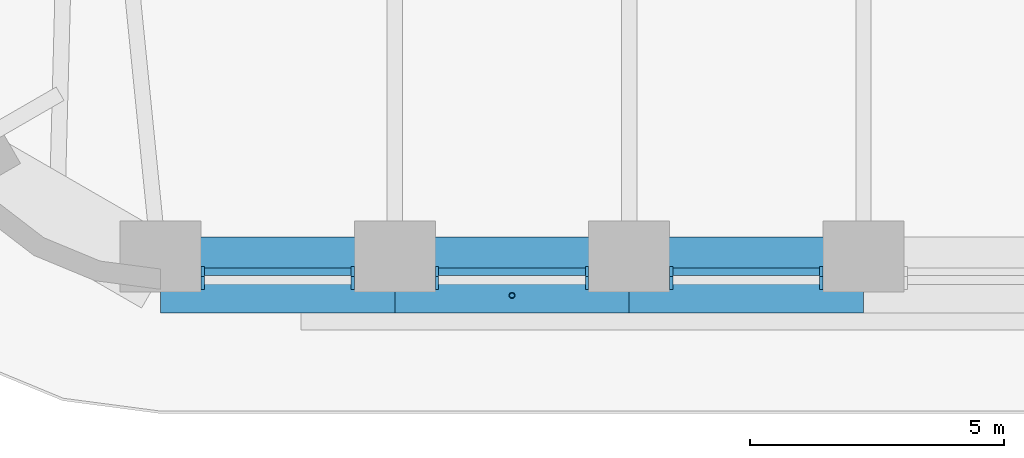
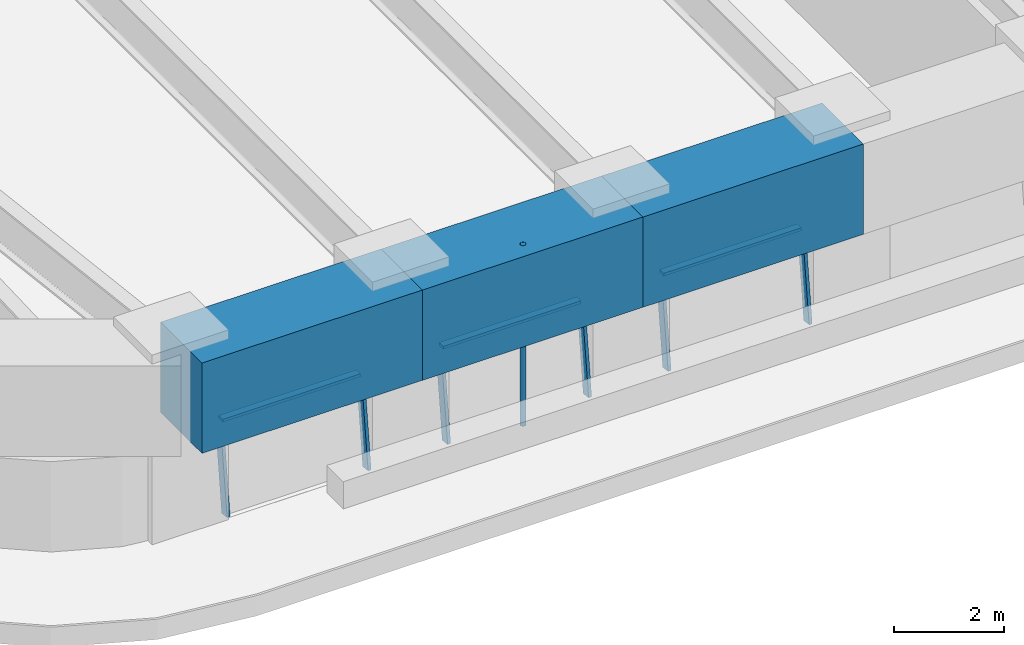
# One storey, part 2 of 20: 10 members, 3 beams, 3 elements without a shape of their own.
"""IFC4 building model written with IfcOpenShell, lengths in metres."""

from ifc_helpers import new_model, si_unit, direction, frame, origin, origin_2d, place, context, subcontext, project, spatial, rectangle, hollow_circle, extrude, material, material_profile, profile_set, type_object, element, aggregate, save


model = new_model("IFC4")

# Units and contexts
model_context = context("Model", 3, precision=1e-05, world=origin(), true_north=direction((0.0, 1.0)))
body_context = subcontext(model_context, "Body", "Model", "MODEL_VIEW")
ifc_project = project(units=[si_unit("LENGTHUNIT", "METRE"), si_unit("AREAUNIT", "SQUARE_METRE"), si_unit("VOLUMEUNIT", "CUBIC_METRE"), si_unit("PLANEANGLEUNIT", "RADIAN"), si_unit("MASSUNIT", "GRAM", prefix="KILO")], contexts=[model_context])

# Site, building, storey
site_placement = place(None, origin())
site = spatial("IfcSite", under=ifc_project, at=site_placement, CompositionType="ELEMENT")
building_placement = place(site_placement, origin())
building = spatial("IfcBuilding", under=site, at=building_placement, Name="Tarfa Lantern Tower", CompositionType="ELEMENT")
storey_placement = place(building_placement, frame((0.0, 0.0, 228.10009765625)))
storey = spatial("IfcBuildingStorey", under=building, at=storey_placement, Name="L51", CompositionType="ELEMENT", Elevation=228.10009765625)

# Curtain wall, members
ifc_material_1 = material(Name="Aluminium framed curtain wall", Category="aluminium")
curtain_wall_type = type_object("IfcCurtainWallType", Name="CW3 CANTED GLAZING HIGH ZONE 2000", PredefinedType="USERDEFINED", material=ifc_material_1)
curtain_wall_1_placement = place(storey_placement, origin())
curtain_wall_1 = element("IfcCurtainWall", 1, at=curtain_wall_1_placement, inside=storey, type_object=curtain_wall_type, Name="CW3 S L51", ObjectType="CURTAIN WALL", PredefinedType="USERDEFINED")
ifc_material_2 = material(Name="Aluminium mullion", Category="aluminium")
ifc_material_profile_1 = material_profile(ifc_material_2, rectangle(XDim=0.06494140625, YDim=0.199951171875, at=origin_2d()), Name="AL MULLION 65x200")
ifc_profile_set_1 = profile_set([ifc_material_profile_1], Name="Aluminium mullion")
member_type_1 = type_object("IfcMemberType", Name="CWM1 MULLION 65x200", PredefinedType="MULLION", material=ifc_profile_set_1)
member_1_placement = place(storey_placement, frame((-13.02392578125, -28.89990234375, 0.0), z_axis=(0.0, 0.124034734589, 0.992277876714), x_axis=(-1.0, 0.0, 0.0)))
member_1 = element("IfcMember", 2, at=member_1_placement, type_object=member_type_1, Name="CW3 mullion 1", PredefinedType="MULLION", context=body_context, shape_type="SweptSolid", body=[
    extrude(rectangle(XDim=0.06494140625, YDim=0.199951171875, at=origin_2d()), origin(), (0.0, 0.0, 1.0), 2.015625),
])
member_2_placement = place(storey_placement, frame((-10.070068359375, -28.89990234375, 0.0), z_axis=(0.0, 0.124034734589, 0.992277876714), x_axis=(-1.0, 0.0, 0.0)))
member_2 = element("IfcMember", 3, at=member_2_placement, type_object=member_type_1, Name="CW3 mullion 2", PredefinedType="MULLION", context=body_context, shape_type="SweptSolid", body=[
    extrude(rectangle(XDim=0.06494140625, YDim=0.199951171875, at=origin_2d()), origin(), (0.0, 0.0, 1.0), 2.015625),
])

curtain_wall_2_placement = place(storey_placement, origin())
curtain_wall_2 = element("IfcCurtainWall", 4, at=curtain_wall_2_placement, inside=storey, type_object=curtain_wall_type, Name="CW3 S L51", ObjectType="CURTAIN WALL", PredefinedType="USERDEFINED")
member_3_placement = place(storey_placement, frame((-8.405029296875, -28.89990234375, 0.0), z_axis=(0.0, 0.124034734589, 0.992277876714), x_axis=(-1.0, 0.0, 0.0)))
member_3 = element("IfcMember", 5, at=member_3_placement, type_object=member_type_1, Name="CW3 mullion 1", PredefinedType="MULLION", context=body_context, shape_type="SweptSolid", body=[
    extrude(rectangle(XDim=0.06494140625, YDim=0.199951171875, at=origin_2d()), origin(), (0.0, 0.0, 1.0), 2.015625),
])
member_4_placement = place(storey_placement, frame((-5.451416015625, -28.89990234375, 0.0), z_axis=(0.0, 0.124034734589, 0.992277876714), x_axis=(-1.0, 0.0, 0.0)))
member_4 = element("IfcMember", 6, at=member_4_placement, type_object=member_type_1, Name="CW3 mullion 2", PredefinedType="MULLION", context=body_context, shape_type="SweptSolid", body=[
    extrude(rectangle(XDim=0.06494140625, YDim=0.199951171875, at=origin_2d()), origin(), (0.0, 0.0, 1.0), 2.015625),
])

curtain_wall_3_placement = place(storey_placement, origin())
curtain_wall_3 = element("IfcCurtainWall", 7, at=curtain_wall_3_placement, inside=storey, type_object=curtain_wall_type, Name="CW3 S L51", ObjectType="CURTAIN WALL", PredefinedType="USERDEFINED")
member_5_placement = place(storey_placement, frame((-3.786376953125, -28.89990234375, 0.0), z_axis=(0.0, 0.124034734589, 0.992277876714), x_axis=(-1.0, 0.0, 0.0)))
member_5 = element("IfcMember", 8, at=member_5_placement, type_object=member_type_1, Name="CW3 mullion 1", PredefinedType="MULLION", context=body_context, shape_type="SweptSolid", body=[
    extrude(rectangle(XDim=0.06494140625, YDim=0.199951171875, at=origin_2d()), origin(), (0.0, 0.0, 1.0), 2.015625),
])
member_6_placement = place(storey_placement, frame((-0.83251953125, -28.89990234375, 0.0), z_axis=(0.0, 0.124034734589, 0.992277876714), x_axis=(-1.0, 0.0, 0.0)))
member_6 = element("IfcMember", 9, at=member_6_placement, type_object=member_type_1, Name="CW3 mullion 2", PredefinedType="MULLION", context=body_context, shape_type="SweptSolid", body=[
    extrude(rectangle(XDim=0.06494140625, YDim=0.199951171875, at=origin_2d()), origin(), (0.0, 0.0, 1.0), 2.015625),
])

# Member
ifc_material_3 = material(Name="Aluminium transom", Category="aluminium")
ifc_material_profile_2 = material_profile(ifc_material_3, rectangle(XDim=0.14990234375, YDim=0.06494140625, at=origin_2d()), Name="AL TRANSOM 150x65")
ifc_profile_set_2 = profile_set([ifc_material_profile_2], Name="Aluminium transom")
member_type_2 = type_object("IfcMemberType", Name="CWT1 TRANSOM 150x65", PredefinedType="USERDEFINED", material=ifc_profile_set_2)
member_7_placement = place(storey_placement, frame((-12.991455078125, -28.654052734375, 1.96728515625), z_axis=(1.0, 0.0, 0.0), x_axis=(0.0, 1.0, 0.0)))
member_7 = element("IfcMember", 10, at=member_7_placement, type_object=member_type_2, Name="CW3 transom 1.2", ObjectType="TRANSOM", PredefinedType="USERDEFINED", context=body_context, shape_type="SweptSolid", body=[
    extrude(rectangle(XDim=0.14990234375, YDim=0.06494140625, at=origin_2d()), origin(), (0.0, 0.0, 1.0), 2.888916015625),
])

aggregate(curtain_wall_1, [member_1, member_2, member_7])

member_8_placement = place(storey_placement, frame((-8.37255859375, -28.654052734375, 1.96728515625), z_axis=(1.0, 0.0, 0.0), x_axis=(0.0, 1.0, 0.0)))
member_8 = element("IfcMember", 11, at=member_8_placement, type_object=member_type_2, Name="CW3 transom 1.2", ObjectType="TRANSOM", PredefinedType="USERDEFINED", context=body_context, shape_type="SweptSolid", body=[
    extrude(rectangle(XDim=0.14990234375, YDim=0.06494140625, at=origin_2d()), origin(), (0.0, 0.0, 1.0), 2.888671875),
])

aggregate(curtain_wall_2, [member_3, member_4, member_8])

member_9_placement = place(storey_placement, frame((-3.75390625, -28.654052734375, 1.96728515625), z_axis=(1.0, 0.0, 0.0), x_axis=(0.0, 1.0, 0.0)))
member_9 = element("IfcMember", 12, at=member_9_placement, type_object=member_type_2, Name="CW3 transom 1.2", ObjectType="TRANSOM", PredefinedType="USERDEFINED", context=body_context, shape_type="SweptSolid", body=[
    extrude(rectangle(XDim=0.14990234375, YDim=0.06494140625, at=origin_2d()), origin(), (0.0, 0.0, 1.0), 2.888916015625),
])

aggregate(curtain_wall_3, [member_5, member_6, member_9])

# Beams
ifc_material_4 = material(Name="Concrete C80/95", Category="concrete")
ifc_material_profile_3 = material_profile(ifc_material_4, rectangle(XDim=1.5, YDim=2.0, at=origin_2d()), Name="RC 1500x2000")
ifc_profile_set_3 = profile_set([ifc_material_profile_3], Name="Concrete C80/95")
beam_type = type_object("IfcBeamType", Name="RB3 RC 1500x2000", PredefinedType="BEAM", material=ifc_profile_set_3)
beam_1_placement = place(storey_placement, frame((-13.8564453125, -28.719970703125, 3.0), z_axis=(1.0, 0.0, 0.0), x_axis=(0.0, 1.0, 0.0)))
element("IfcBeam", 13, at=beam_1_placement, inside=storey, type_object=beam_type, Name="Edge beam S0", PredefinedType="BEAM", context=body_context, shape_type="SweptSolid", body=[
    extrude(rectangle(XDim=1.5, YDim=2.0, at=origin_2d()), origin(), (0.0, 0.0, 1.0), 4.618896484375),
])
beam_2_placement = place(storey_placement, frame((-9.237548828125, -28.719970703125, 3.0), z_axis=(1.0, 0.0, 0.0), x_axis=(0.0, 1.0, 0.0)))
element("IfcBeam", 14, at=beam_2_placement, inside=storey, type_object=beam_type, Name="Edge beam S1", PredefinedType="BEAM", context=body_context, shape_type="SweptSolid", body=[
    extrude(rectangle(XDim=1.5, YDim=2.0, at=origin_2d()), origin(), (0.0, 0.0, 1.0), 4.61865234375),
])
beam_3_placement = place(storey_placement, frame((-4.618896484375, -28.719970703125, 3.0), z_axis=(1.0, 0.0, 0.0), x_axis=(0.0, 1.0, 0.0)))
element("IfcBeam", 15, at=beam_3_placement, inside=storey, type_object=beam_type, Name="Edge beam S2", PredefinedType="BEAM", context=body_context, shape_type="SweptSolid", body=[
    extrude(rectangle(XDim=1.5, YDim=2.0, at=origin_2d()), origin(), (0.0, 0.0, 1.0), 4.618896484375),
])

# Member
ifc_material_5 = material(Name="Steel S355", Category="steel")
ifc_material_profile_4 = material_profile(ifc_material_5, hollow_circle(Radius=0.05712890625, WallThickness=0.00634765625, at=origin_2d()), Name="CHS114.3x6.3")
ifc_profile_set_4 = profile_set([ifc_material_profile_4], Name="Steel S355")
member_type_3 = type_object("IfcMemberType", Name="TR1 GREEN WALL TRELLIS CHS114.3x6.3", PredefinedType="USERDEFINED", material=ifc_profile_set_4)
member_10_placement = place(storey_placement, frame((-6.92822265625, -29.1201171875, 0.0), z_axis=(0.0, 0.0, 1.0), x_axis=(1.0, 0.0, 0.0)))
element("IfcMember", 16, at=member_10_placement, inside=storey, type_object=member_type_3, Name="Trellis post S 1", ObjectType="TRELLIS", PredefinedType="USERDEFINED", context=body_context, shape_type="SweptSolid", body=[
    extrude(hollow_circle(Radius=0.05712890625, WallThickness=0.00634765625, at=origin_2d()), origin(), (0.0, 0.0, 1.0), 4.0),
])

save(model, "model.ifc")
